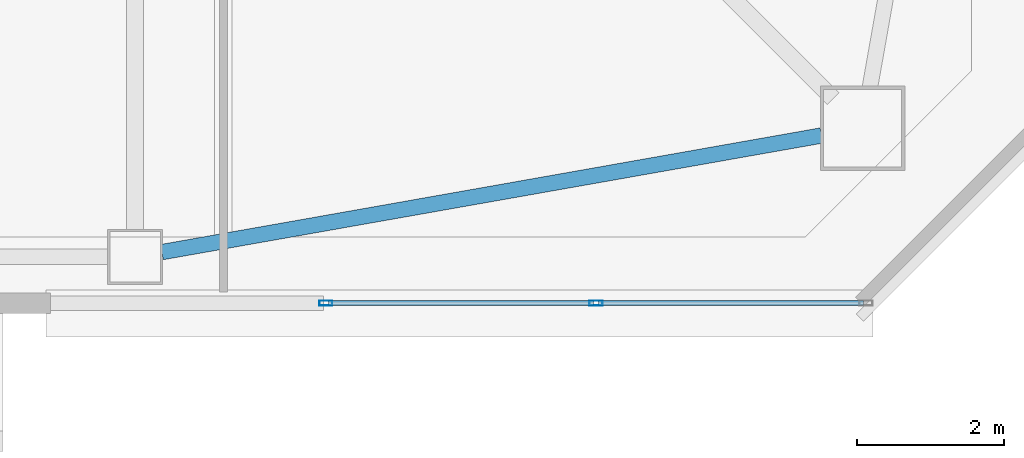
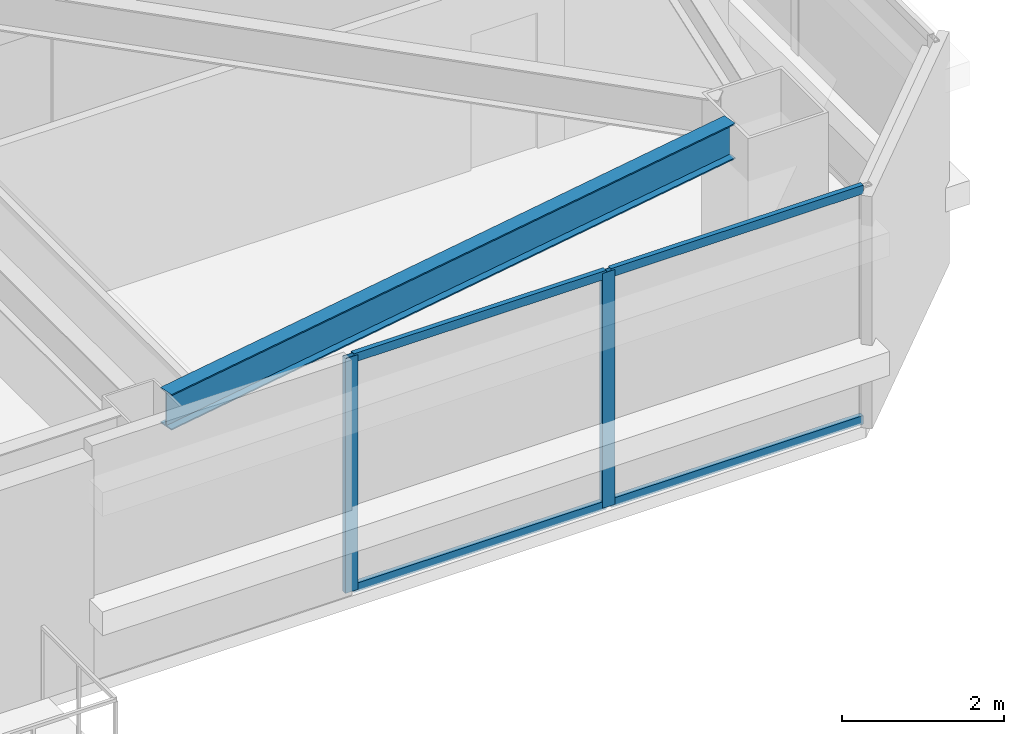
# One storey, part 6 of 44: 6 members, 1 beam, 1 element without a shape of its own.
"""IFC4 building model written with IfcOpenShell, lengths in metres."""

from ifc_helpers import new_model, si_unit, direction, frame, origin, origin_2d, place, context, subcontext, project, spatial, hollow_rectangle, i_section, extrude, material, material_profile, profile_set, type_object, element, aggregate, save


model = new_model("IFC4")

# Units and contexts
model_context = context("Model", 3, precision=1e-05, world=origin(), true_north=direction((0.0, 1.0)))
body_context = subcontext(model_context, "Body", "Model", "MODEL_VIEW")
ifc_project = project(units=[si_unit("LENGTHUNIT", "METRE"), si_unit("AREAUNIT", "SQUARE_METRE"), si_unit("VOLUMEUNIT", "CUBIC_METRE"), si_unit("PLANEANGLEUNIT", "RADIAN"), si_unit("MASSUNIT", "GRAM", prefix="KILO")], contexts=[model_context])

# Site, building, storey
site_placement = place(None, origin())
site = spatial("IfcSite", under=ifc_project, at=site_placement, CompositionType="ELEMENT")
building_placement = place(site_placement, origin())
building = spatial("IfcBuilding", under=site, at=building_placement, Name="Tashvorn Skyway Center", CompositionType="ELEMENT")
storey_placement = place(building_placement, frame((0.0, 0.0, 181.85009765625)))
storey = spatial("IfcBuildingStorey", under=building, at=storey_placement, Name="L49", CompositionType="ELEMENT", Elevation=181.85009765625)

# Beam
ifc_material_1 = material(Name="Steel ASTM A992 Grade 50", Category="steel")
ifc_material_profile_1 = material_profile(ifc_material_1, i_section(OverallWidth=0.2109375, OverallDepth=0.5390625, WebThickness=0.01171875, FlangeThickness=0.018798828125, at=origin_2d()), Name="W21X73")
ifc_profile_set_1 = profile_set([ifc_material_profile_1], Name="Steel ASTM A992 Grade 50")
beam_type = type_object("IfcBeamType", Name="BM-SPANDREL-W21X73", PredefinedType="SPANDREL", material=ifc_profile_set_1)
beam_placement = place(storey_placement, frame((47.764404296875, 15.014404296875, 3.100341796875), z_axis=(0.984732545667, 0.174074160933, 0.0), x_axis=(-0.174074160933, 0.984732545667, 0.0)))
element("IfcBeam", 1, at=beam_placement, inside=storey, type_object=beam_type, Name="Tower 1 L49 Spandrel Beam 03", PredefinedType="SPANDREL", context=body_context, shape_type="SweptSolid", body=[
    extrude(i_section(OverallWidth=0.2109375, OverallDepth=0.5390625, WebThickness=0.01171875, FlangeThickness=0.018798828125, at=origin_2d()), origin(), (0.0, 0.0, 1.0), 9.113525390625),
])

# Curtain wall, members
ifc_material_2 = material(Name="Thermally broken bronze-anodized aluminium 6063-T6", Category="aluminium")
curtain_wall_type = type_object("IfcCurtainWallType", Name="CW-CW-Z4", PredefinedType="NOTDEFINED", material=ifc_material_2)
curtain_wall_placement = place(storey_placement, origin())
curtain_wall = element("IfcCurtainWall", 2, at=curtain_wall_placement, inside=storey, type_object=curtain_wall_type, Name="Tower 1 L49 South Curtain Wall L Glazing Group 1", PredefinedType="NOTDEFINED")
ifc_material_profile_2 = material_profile(ifc_material_2, hollow_rectangle(XDim=0.070068359375, YDim=0.179931640625, WallThickness=0.00390625, at=origin_2d()), Name="ALU-MULL-70x180")
ifc_profile_set_2 = profile_set([ifc_material_profile_2], Name="Thermally broken bronze-anodized aluminium 6063-T6")
member_type_1 = type_object("IfcMemberType", Name="CWM-CW-Z4", PredefinedType="MULLION", material=ifc_profile_set_2)
member_1_placement = place(storey_placement, frame((53.669921875, 14.320068359375, 0.0), z_axis=(0.0, 0.0, 1.0), x_axis=(0.0, -1.0, 0.0)))
member_1 = element("IfcMember", 3, at=member_1_placement, type_object=member_type_1, Name="CW-Z4 mullion 2", PredefinedType="MULLION", context=body_context, shape_type="SweptSolid", body=[
    extrude(hollow_rectangle(XDim=0.070068359375, YDim=0.179931640625, WallThickness=0.00390625, at=origin_2d()), origin(), (0.0, 0.0, 1.0), 3.5498046875),
])
member_2_placement = place(storey_placement, frame((49.9951171875, 14.320068359375, 0.0), z_axis=(0.0, 0.0, 1.0), x_axis=(0.0, -1.0, 0.0)))
member_2 = element("IfcMember", 4, at=member_2_placement, type_object=member_type_1, Name="CW-Z4 mullion 3", PredefinedType="MULLION", context=body_context, shape_type="SweptSolid", body=[
    extrude(hollow_rectangle(XDim=0.070068359375, YDim=0.179931640625, WallThickness=0.00390625, at=origin_2d()), origin(), (0.0, 0.0, 1.0), 3.5498046875),
])
ifc_material_profile_3 = material_profile(ifc_material_2, hollow_rectangle(XDim=0.070068359375, YDim=0.1298828125, WallThickness=0.00390625, at=origin_2d()), Name="ALU-TRAN-70x130")
ifc_profile_set_3 = profile_set([ifc_material_profile_3], Name="Thermally broken bronze-anodized aluminium 6063-T6")
member_type_2 = type_object("IfcMemberType", Name="CWT-CW-Z4", PredefinedType="USERDEFINED", material=ifc_profile_set_3)
member_3_placement = place(storey_placement, frame((57.31005859375, 14.320068359375, 0.034912109375), z_axis=(-1.0, 0.0, 0.0), x_axis=(0.0, -1.0, 0.0)))
member_3 = element("IfcMember", 5, at=member_3_placement, type_object=member_type_2, Name="CW-Z4 transom 1.1", ObjectType="TRANSOM", PredefinedType="USERDEFINED", context=body_context, shape_type="SweptSolid", body=[
    extrude(hollow_rectangle(XDim=0.070068359375, YDim=0.1298828125, WallThickness=0.00390625, at=origin_2d()), origin(), (0.0, 0.0, 1.0), 3.60498046875),
])
member_4_placement = place(storey_placement, frame((57.31005859375, 14.320068359375, 3.514892578125), z_axis=(-1.0, 0.0, 0.0), x_axis=(0.0, -1.0, 0.0)))
member_4 = element("IfcMember", 6, at=member_4_placement, type_object=member_type_2, Name="CW-Z4 transom 1.2", ObjectType="TRANSOM", PredefinedType="USERDEFINED", context=body_context, shape_type="SweptSolid", body=[
    extrude(hollow_rectangle(XDim=0.070068359375, YDim=0.1298828125, WallThickness=0.00390625, at=origin_2d()), origin(), (0.0, 0.0, 1.0), 3.60498046875),
])
member_5_placement = place(storey_placement, frame((53.635009765625, 14.320068359375, 0.034912109375), z_axis=(-1.0, 0.0, 0.0), x_axis=(0.0, -1.0, 0.0)))
member_5 = element("IfcMember", 7, at=member_5_placement, type_object=member_type_2, Name="CW-Z4 transom 2.1", ObjectType="TRANSOM", PredefinedType="USERDEFINED", context=body_context, shape_type="SweptSolid", body=[
    extrude(hollow_rectangle(XDim=0.070068359375, YDim=0.1298828125, WallThickness=0.00390625, at=origin_2d()), origin(), (0.0, 0.0, 1.0), 3.60498046875),
])
member_6_placement = place(storey_placement, frame((53.635009765625, 14.320068359375, 3.514892578125), z_axis=(-1.0, 0.0, 0.0), x_axis=(0.0, -1.0, 0.0)))
member_6 = element("IfcMember", 8, at=member_6_placement, type_object=member_type_2, Name="CW-Z4 transom 2.2", ObjectType="TRANSOM", PredefinedType="USERDEFINED", context=body_context, shape_type="SweptSolid", body=[
    extrude(hollow_rectangle(XDim=0.070068359375, YDim=0.1298828125, WallThickness=0.00390625, at=origin_2d()), origin(), (0.0, 0.0, 1.0), 3.60498046875),
])
aggregate(curtain_wall, [member_1, member_2, member_3, member_4, member_5, member_6])

save(model, "model.ifc")
